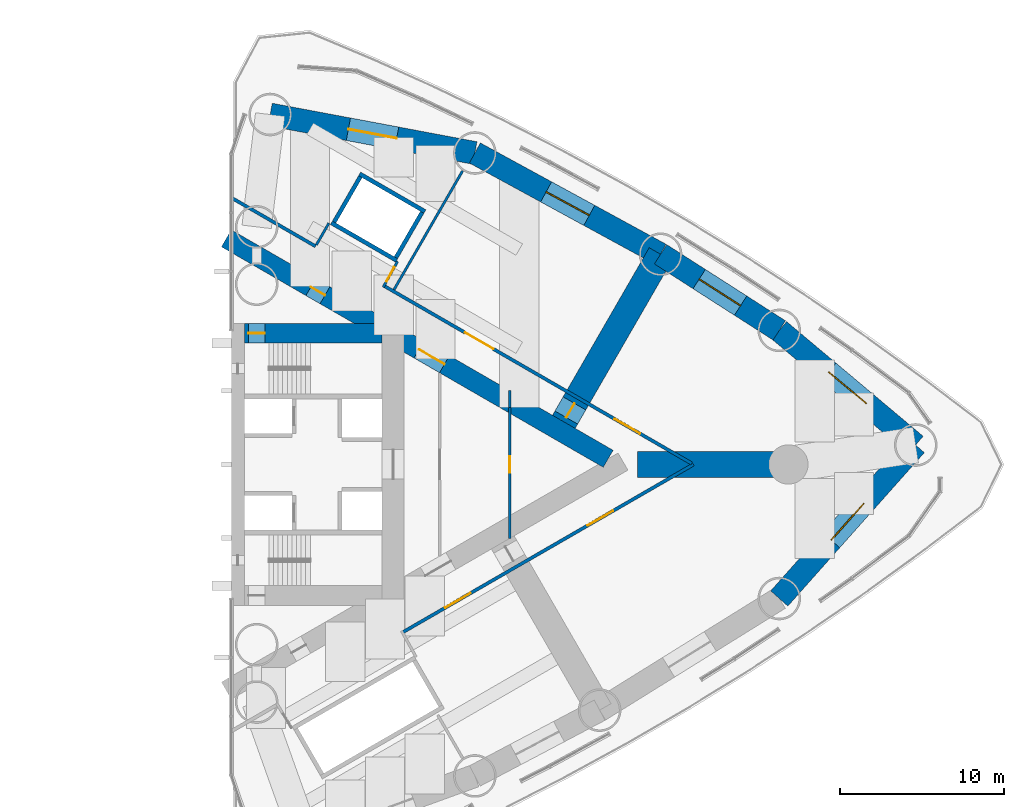
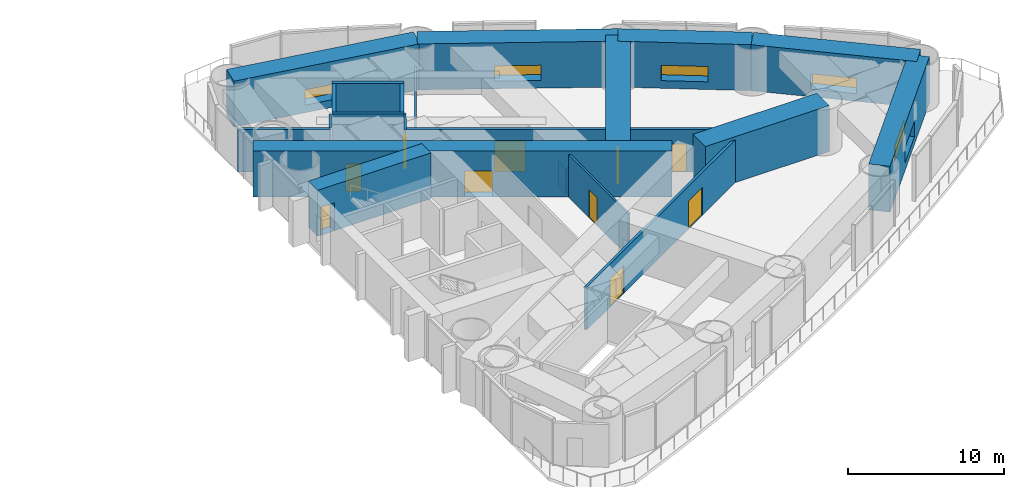
# One storey, part 16 of 19: 21 walls, 10 doors, 5 windows, 15 openings.
"""IFC4 building model written with IfcOpenShell, lengths in metres."""

import ifcopenshell
import ifcopenshell.guid

model = None  # the IFC model being written
_history = None  # IfcOwnerHistory: only IFC2X3 demands one
_inside = {}  # id of a spatial element -> (the spatial element, [elements in it])
_under = {}  # id of a project, library or spatial element -> (it, [spatial elements below it])
_declared = {}  # id of a project -> (the project, [libraries it declares])
_typed = {}  # id of a type object -> (the type object, [elements of that type])
_made_of = {}  # id of a material, layer set ... -> (it, [elements and type objects made of it])


def new_model(schema):
    """Start an empty IFC model of exactly this schema.

    Asked for "IFC4X3", IfcOpenShell would pick the latest addendum, in which some entities
    have other attributes; the version numbers below select the first issue.
    IFC2X3 requires an IfcOwnerHistory on every rooted entity: one is made here for all.
    """
    global model, _history
    if schema == "IFC4X3":
        model = ifcopenshell.file(schema_version=(4, 3, 0, 0))
    else:
        model = ifcopenshell.file(schema=schema)
    _inside.clear()
    _under.clear()
    _declared.clear()
    _typed.clear()
    _made_of.clear()
    _history = None
    if model.schema == "IFC2X3":
        org = make("IfcOrganization", Name="unknown")
        user = make(
            "IfcPersonAndOrganization",
            ThePerson=make("IfcPerson", FamilyName="unknown"),
            TheOrganization=org,
        )
        app = make(
            "IfcApplication",
            ApplicationDeveloper=org,
            Version="unknown",
            ApplicationFullName="unknown",
            ApplicationIdentifier="unknown",
        )
        _history = make(
            "IfcOwnerHistory",
            OwningUser=user,
            OwningApplication=app,
            ChangeAction="ADDED",
            CreationDate=0,
        )
    return model


def make(cls, **values):
    """One entity of the class cls with the attributes given. An attribute that is None is left unset."""
    return model.create_entity(
        cls, **{name: value for name, value in values.items() if value is not None}
    )


def rooted(cls, **values):
    """An entity with a GlobalId (a new one), such as an element, a storey or a relation."""
    return make(cls, GlobalId=ifcopenshell.guid.new(), OwnerHistory=_history, **values)


def si_unit(unit_type, name, prefix=None):
    """IfcSIUnit, for example si_unit("LENGTHUNIT", "METRE", prefix="MILLI")."""
    return make("IfcSIUnit", UnitType=unit_type, Prefix=prefix, Name=name)


def assignment(units):
    """IfcUnitAssignment: the units of a project."""
    return None if units is None else make("IfcUnitAssignment", Units=units)


def point(xyz):
    """IfcCartesianPoint."""
    return None if xyz is None else make("IfcCartesianPoint", Coordinates=xyz)


def direction(xyz):
    """IfcDirection."""
    return None if xyz is None else make("IfcDirection", DirectionRatios=xyz)


def frame(location, z_axis=None, x_axis=None):
    """IfcAxis2Placement3D, a coordinate frame: its origin and axes. An axis left out is left unset."""
    return make(
        "IfcAxis2Placement3D",
        Location=point(location),
        Axis=direction(z_axis),
        RefDirection=direction(x_axis),
    )


def frame_2d(location, x_axis=None):
    """IfcAxis2Placement2D, a coordinate frame in the plane: its origin and x axis."""
    return make(
        "IfcAxis2Placement2D", Location=point(location), RefDirection=direction(x_axis)
    )


def origin():
    """The frame at (0, 0, 0) with its axes left unset."""
    return frame((0.0, 0.0, 0.0))


def place(relative_to, where):
    """IfcLocalPlacement: puts the frame where relative to a parent placement (None: the world)."""
    return make(
        "IfcLocalPlacement", PlacementRelTo=relative_to, RelativePlacement=where
    )


def context(
    kind, dimensions, precision=None, world=None, true_north=None, identifier=None
):
    """IfcGeometricRepresentationContext, for example the 3D "Model" context."""
    return make(
        "IfcGeometricRepresentationContext",
        ContextIdentifier=identifier,
        ContextType=kind,
        CoordinateSpaceDimension=dimensions,
        Precision=precision,
        WorldCoordinateSystem=world,
        TrueNorth=true_north,
    )


def subcontext(parent, identifier, kind, view, scale=None):
    """IfcGeometricRepresentationSubContext, for example "Body" below "Model"."""
    return make(
        "IfcGeometricRepresentationSubContext",
        ContextIdentifier=identifier,
        ContextType=kind,
        ParentContext=parent,
        TargetScale=scale,
        TargetView=view,
    )


def project(units=None, contexts=None):
    """IfcProject with its units and contexts."""
    return rooted(
        "IfcProject",
        Name="project",
        RepresentationContexts=contexts,
        UnitsInContext=assignment(units),
    )


def spatial(cls, under=None, at=None, **own):
    """A site, building, storey or space (cls), placed at a placement, below another one or the project."""
    s = rooted(cls, ObjectPlacement=at, **own)
    if under is not None:
        _under.setdefault(under.id(), (under, []))[1].append(s)
    return s


def profile(cls, at=None, kind="AREA", **sizes):
    """A parametric profile (cls). Its sizes go by their IFC names, for example OverallWidth=200.0."""
    return make(cls, ProfileType=kind, Position=at, **sizes)


def rectangle(**sizes):
    """IfcRectangleProfileDef."""
    return profile("IfcRectangleProfileDef", **sizes)


def extrude(swept, where, along, depth):
    """IfcExtrudedAreaSolid: the profile swept, set in the frame where, extruded along a direction by depth."""
    return make(
        "IfcExtrudedAreaSolid",
        SweptArea=swept,
        Position=where,
        ExtrudedDirection=direction(along),
        Depth=depth,
    )


def shape(context_of_items, identifier, shape_type, items):
    """IfcShapeRepresentation: the items that make up one representation, for example the "Body"."""
    return make(
        "IfcShapeRepresentation",
        ContextOfItems=context_of_items,
        RepresentationIdentifier=identifier,
        RepresentationType=shape_type,
        Items=items,
    )


def material(Name=None, Category=None):
    """IfcMaterial."""
    return make("IfcMaterial", Name=Name, Category=Category)


def layer(
    of_material, thickness, ventilated=None, Name=None, Category=None, Priority=None
):
    """IfcMaterialLayer: one layer of a wall or slab, of a material (None: an air gap)."""
    return make(
        "IfcMaterialLayer",
        Material=of_material,
        LayerThickness=thickness,
        IsVentilated=ventilated,
        Name=Name,
        Category=Category,
        Priority=Priority,
    )


def layer_set(layers, Name=None):
    """IfcMaterialLayerSet."""
    return make("IfcMaterialLayerSet", MaterialLayers=layers, LayerSetName=Name)


def made_of(thing, what):
    """Note that an element or type object is made of a material, layer set ...; save() writes the relation."""
    if what is not None:
        _made_of.setdefault(what.id(), (what, []))[1].append(thing)
    return thing


def type_object(cls, material=None, **own):
    """A type object (cls), such as IfcWallType, which elements share."""
    return made_of(rooted(cls, **own), material)


def element(
    cls,
    number,
    at=None,
    inside=None,
    cuts=None,
    type_object=None,
    material=None,
    context=None,
    identifier="Body",
    shape_type=None,
    held_by="IfcProductDefinitionShape",
    body=None,
    shapes=None,
    **own,
):
    """One element of the class cls, such as IfcWall. Its Tag is "e" and its number.

    at: its placement. inside: the storey or other place that contains it. cuts: it is an
    opening in that element (IfcRelVoidsElement). A single representation is given by context,
    identifier, shape_type and body (its items); several are given by shapes. held_by: the class
    of the entity that holds the representations. save() writes the other relations.
    """
    e = rooted(cls, Tag="e%d" % number, ObjectPlacement=at, **own)
    if body is not None:
        shapes = [shape(context, identifier, shape_type, body)]
    if shapes is not None:
        e.Representation = make(held_by, Representations=shapes)
    if inside is not None:
        _inside.setdefault(inside.id(), (inside, []))[1].append(e)
    if cuts is not None:
        rooted(
            "IfcRelVoidsElement", RelatingBuildingElement=cuts, RelatedOpeningElement=e
        )
    if type_object is not None:
        _typed.setdefault(type_object.id(), (type_object, []))[1].append(e)
    return made_of(e, material)


def fill(opening, filler):
    """IfcRelFillsElement: the door or window that sits in an opening."""
    return rooted(
        "IfcRelFillsElement",
        RelatingOpeningElement=opening,
        RelatedBuildingElement=filler,
    )


def aggregate(whole, parts):
    """IfcRelAggregates: a whole, such as a stair, and the parts it consists of."""
    return rooted("IfcRelAggregates", RelatingObject=whole, RelatedObjects=parts)


def save(model, path):
    """Write the relations noted so far, then the file.

    IfcRelAggregates (storeys below a building ...), IfcRelContainedInSpatialStructure (elements
    in a storey), IfcRelDefinesByType, IfcRelAssociatesMaterial and IfcRelDeclares: one each for
    every whole, place, type object, material and project.
    """
    for whole, parts in _under.values():
        aggregate(whole, parts)
    for where, things in _inside.values():
        rooted(
            "IfcRelContainedInSpatialStructure",
            RelatedElements=things,
            RelatingStructure=where,
        )
    for kind, things in _typed.values():
        rooted("IfcRelDefinesByType", RelatedObjects=things, RelatingType=kind)
    for what, things in _made_of.values():
        rooted("IfcRelAssociatesMaterial", RelatedObjects=things, RelatingMaterial=what)
    for by, libraries in _declared.values():
        rooted("IfcRelDeclares", RelatingContext=by, RelatedDefinitions=libraries)
    model.write(path)


model = new_model("IFC4")

# Units and contexts
model_context = context("Model", 3, precision=1e-05, world=origin(), true_north=direction((0.0, 1.0)))
body_context = subcontext(model_context, "Body", "Model", "MODEL_VIEW")
ifc_project = project(units=[si_unit("LENGTHUNIT", "METRE"), si_unit("AREAUNIT", "SQUARE_METRE"), si_unit("VOLUMEUNIT", "CUBIC_METRE"), si_unit("PLANEANGLEUNIT", "RADIAN"), si_unit("MASSUNIT", "GRAM", prefix="KILO")], contexts=[model_context])

# Site, building, storey
site_placement = place(None, origin())
site = spatial("IfcSite", under=ifc_project, at=site_placement, CompositionType="ELEMENT")
building_placement = place(site_placement, origin())
building = spatial("IfcBuilding", under=site, at=building_placement, Name="Lancet Gate Hotel", CompositionType="ELEMENT")
storey_placement = place(building_placement, frame((0.0, 0.0, 87.0)))
storey = spatial("IfcBuildingStorey", under=building, at=storey_placement, Name="L22", CompositionType="ELEMENT", Elevation=87.0)

# Wall, opening, window
ifc_material_1 = material(Name="Concrete C80/95", Category="concrete")
ifc_layer_1 = layer(ifc_material_1, 1.39990234375)
ifc_layer_set_1 = layer_set([ifc_layer_1], Name="Belt wall 1400")
wall_type_1 = type_object("IfcWallType", Name="Belt wall 1400", PredefinedType="SHEAR", material=ifc_layer_set_1)
wall_1_placement = place(storey_placement, frame((60.940673828125, -8.18115234375, 0.0), z_axis=(0.0, 0.0, 1.0), x_axis=(0.664421866815, 0.74735773422, 0.0)))
wall_1 = element("IfcWall", 1, at=wall_1_placement, inside=storey, type_object=wall_type_1, Name="T2 belt wall OS3-CA L22", PredefinedType="SHEAR", context=body_context, shape_type="SweptSolid", body=[
    extrude(rectangle(XDim=12.534423828125, YDim=1.39990234375, at=frame_2d((6.26708984375, 0.0))), origin(), (0.0, 0.0, 1.0), 3.60009765625),
])
opening_1_placement = place(wall_1_placement, frame((4.76708984375, 0.0, 0.60009765625)))
opening_1 = element("IfcOpeningElement", 2, at=opening_1_placement, cuts=wall_1, Name="Opening LV1", PredefinedType="OPENING", context=body_context, shape_type="SweptSolid", body=[
    extrude(rectangle(XDim=3.0, YDim=1.199951171875, at=frame_2d((1.5, 0.60009765625))), frame((0.0, 0.7099609375, 0.0), z_axis=(0.0, -1.0, 0.0), x_axis=(1.0, 0.0, 0.0)), (0.0, 0.0, 1.0), 1.419921875),
])
ifc_material_2 = material(Name="Aluminium weather louvre", Category="aluminium")
window_type = type_object("IfcWindowType", Name="Refuge louvre 3000x1200", PartitioningType="SINGLE_PANEL", PredefinedType="WINDOW", material=ifc_material_2)
window_1_placement = place(opening_1_placement, origin())
window_1 = element("IfcWindow", 3, at=window_1_placement, inside=storey, type_object=window_type, Name="T2 belt louvre OS3-CA L22", OverallHeight=1.199951171875, OverallWidth=3.0, PartitioningType="SINGLE_PANEL", PredefinedType="WINDOW", context=body_context, shape_type="SweptSolid", body=[
    extrude(rectangle(XDim=3.0, YDim=1.199951171875, at=frame_2d((1.5, 0.60009765625))), frame((0.0, 0.030029296875, 0.0), z_axis=(0.0, -1.0, 0.0), x_axis=(1.0, 0.0, 0.0)), (0.0, 0.0, 1.0), 0.06005859375),
])
fill(opening_1, window_1)

wall_2_placement = place(storey_placement, frame((69.268798828125, 1.1865234375, 0.0), z_axis=(0.0, 0.0, 1.0), x_axis=(-0.765749969712, 0.643138386264, 0.0)))
wall_2 = element("IfcWall", 4, at=wall_2_placement, inside=storey, type_object=wall_type_1, Name="T2 belt wall CA-ON1 L22", PredefinedType="SHEAR", context=body_context, shape_type="SweptSolid", body=[
    extrude(rectangle(XDim=10.875732421875, YDim=1.39990234375, at=frame_2d((5.43798828125, 0.0))), origin(), (0.0, 0.0, 1.0), 3.60009765625),
])
opening_2_placement = place(wall_2_placement, frame((3.93798828125, 0.0, 0.60009765625)))
opening_2 = element("IfcOpeningElement", 5, at=opening_2_placement, cuts=wall_2, Name="Opening LV1", PredefinedType="OPENING", context=body_context, shape_type="SweptSolid", body=[
    extrude(rectangle(XDim=3.0, YDim=1.199951171875, at=frame_2d((1.5, 0.60009765625))), frame((0.0, 0.7099609375, 0.0), z_axis=(0.0, -1.0, 0.0), x_axis=(1.0, 0.0, 0.0)), (0.0, 0.0, 1.0), 1.419921875),
])
window_2_placement = place(opening_2_placement, origin())
window_2 = element("IfcWindow", 6, at=window_2_placement, inside=storey, type_object=window_type, Name="T2 belt louvre CA-ON1 L22", OverallHeight=1.199951171875, OverallWidth=3.0, PartitioningType="SINGLE_PANEL", PredefinedType="WINDOW", context=body_context, shape_type="SweptSolid", body=[
    extrude(rectangle(XDim=3.0, YDim=1.199951171875, at=frame_2d((1.5, 0.60009765625))), frame((0.0, 0.030029296875, 0.0), z_axis=(0.0, -1.0, 0.0), x_axis=(1.0, 0.0, 0.0)), (0.0, 0.0, 1.0), 0.06005859375),
])
fill(opening_2, window_2)

wall_3_placement = place(storey_placement, frame((60.940673828125, 8.18115234375, 0.0), z_axis=(0.0, 0.0, 1.0), x_axis=(-0.841727408736, 0.539902740669, 0.0)))
wall_3 = element("IfcWall", 7, at=wall_3_placement, inside=storey, type_object=wall_type_1, Name="T2 belt wall ON1-ON2 L22", PredefinedType="SHEAR", context=body_context, shape_type="SweptSolid", body=[
    extrude(rectangle(XDim=8.605712890625, YDim=1.39990234375, at=frame_2d((4.302734375, 0.0))), origin(), (0.0, 0.0, 1.0), 3.60009765625),
])
opening_3_placement = place(wall_3_placement, frame((2.802978515625, 0.0, 0.60009765625)))
opening_3 = element("IfcOpeningElement", 8, at=opening_3_placement, cuts=wall_3, Name="Opening LV1", PredefinedType="OPENING", context=body_context, shape_type="SweptSolid", body=[
    extrude(rectangle(XDim=3.0, YDim=1.199951171875, at=frame_2d((1.5, 0.60009765625))), frame((0.0, 0.7099609375, 0.0), z_axis=(0.0, -1.0, 0.0), x_axis=(1.0, 0.0, 0.0)), (0.0, 0.0, 1.0), 1.419921875),
])
window_3_placement = place(opening_3_placement, origin())
window_3 = element("IfcWindow", 9, at=window_3_placement, inside=storey, type_object=window_type, Name="T2 belt louvre ON1-ON2 L22", OverallHeight=1.199951171875, OverallWidth=3.0, PartitioningType="SINGLE_PANEL", PredefinedType="WINDOW", context=body_context, shape_type="SweptSolid", body=[
    extrude(rectangle(XDim=3.0, YDim=1.199951171875, at=frame_2d((1.5, 0.60009765625))), frame((0.0, 0.030029296875, 0.0), z_axis=(0.0, -1.0, 0.0), x_axis=(1.0, 0.0, 0.0)), (0.0, 0.0, 1.0), 0.06005859375),
])
fill(opening_3, window_3)

wall_4_placement = place(storey_placement, frame((53.697021484375, 12.827392578125, 0.0), z_axis=(0.0, 0.0, 1.0), x_axis=(-0.87792015078, 0.478807068509, 0.0)))
wall_4 = element("IfcWall", 10, at=wall_4_placement, inside=storey, type_object=wall_type_1, Name="T2 belt wall ON2-ON3 L22", PredefinedType="SHEAR", context=body_context, shape_type="SweptSolid", body=[
    extrude(rectangle(XDim=12.906494140625, YDim=1.39990234375, at=frame_2d((6.453125, 0.0))), origin(), (0.0, 0.0, 1.0), 3.60009765625),
])
opening_4_placement = place(wall_4_placement, frame((4.953125, 0.0, 0.60009765625)))
opening_4 = element("IfcOpeningElement", 11, at=opening_4_placement, cuts=wall_4, Name="Opening LV1", PredefinedType="OPENING", context=body_context, shape_type="SweptSolid", body=[
    extrude(rectangle(XDim=3.0, YDim=1.199951171875, at=frame_2d((1.5, 0.60009765625))), frame((0.0, 0.7099609375, 0.0), z_axis=(0.0, -1.0, 0.0), x_axis=(1.0, 0.0, 0.0)), (0.0, 0.0, 1.0), 1.419921875),
])
window_4_placement = place(opening_4_placement, origin())
window_4 = element("IfcWindow", 12, at=window_4_placement, inside=storey, type_object=window_type, Name="T2 belt louvre ON2-ON3 L22", OverallHeight=1.199951171875, OverallWidth=3.0, PartitioningType="SINGLE_PANEL", PredefinedType="WINDOW", context=body_context, shape_type="SweptSolid", body=[
    extrude(rectangle(XDim=3.0, YDim=1.199951171875, at=frame_2d((1.5, 0.60009765625))), frame((0.0, 0.030029296875, 0.0), z_axis=(0.0, -1.0, 0.0), x_axis=(1.0, 0.0, 0.0)), (0.0, 0.0, 1.0), 0.06005859375),
])
fill(opening_4, window_4)

wall_5_placement = place(storey_placement, frame((42.3662109375, 19.007080078125, 0.0), z_axis=(0.0, 0.0, 1.0), x_axis=(-0.982797318081, 0.184687388776, 0.0)))
wall_5 = element("IfcWall", 13, at=wall_5_placement, inside=storey, type_object=wall_type_1, Name="T2 belt wall ON3-CN L22", PredefinedType="SHEAR", context=body_context, shape_type="SweptSolid", body=[
    extrude(rectangle(XDim=12.712890625, YDim=1.39990234375, at=frame_2d((6.3564453125, 0.0))), origin(), (0.0, 0.0, 1.0), 3.60009765625),
])
opening_5_placement = place(wall_5_placement, frame((4.8564453125, 0.0, 0.60009765625)))
opening_5 = element("IfcOpeningElement", 14, at=opening_5_placement, cuts=wall_5, Name="Opening LV1", PredefinedType="OPENING", context=body_context, shape_type="SweptSolid", body=[
    extrude(rectangle(XDim=3.0, YDim=1.199951171875, at=frame_2d((1.5, 0.60009765625))), frame((0.0, 0.7099609375, 0.0), z_axis=(0.0, -1.0, 0.0), x_axis=(1.0, 0.0, 0.0)), (0.0, 0.0, 1.0), 1.419921875),
])
window_5_placement = place(opening_5_placement, origin())
window_5 = element("IfcWindow", 15, at=window_5_placement, inside=storey, type_object=window_type, Name="T2 belt louvre ON3-CN L22", OverallHeight=1.199951171875, OverallWidth=3.0, PartitioningType="SINGLE_PANEL", PredefinedType="WINDOW", context=body_context, shape_type="SweptSolid", body=[
    extrude(rectangle(XDim=3.0, YDim=1.199951171875, at=frame_2d((1.5, 0.60009765625))), frame((0.0, 0.030029296875, 0.0), z_axis=(0.0, -1.0, 0.0), x_axis=(1.0, 0.0, 0.0)), (0.0, 0.0, 1.0), 0.06005859375),
])
fill(opening_5, window_5)

# Wall, openings, doors
ifc_material_3 = material(Name="Concrete C70/85", Category="concrete")
ifc_layer_2 = layer(ifc_material_3, 1.199951171875)
ifc_layer_set_2 = layer_set([ifc_layer_2], Name="Buttress wall 1200")
wall_type_2 = type_object("IfcWallType", Name="Buttress wall 1200", PredefinedType="SHEAR", material=ifc_layer_set_2)
wall_6_placement = place(storey_placement, frame((27.199951171875, 13.800048828125, 0.0), z_axis=(0.0, 0.0, 1.0), x_axis=(0.866024515034, -0.500001539357, 0.0)))
wall_6 = element("IfcWall", 16, at=wall_6_placement, inside=storey, type_object=wall_type_2, Name="T2 buttress wall N L22", PredefinedType="SHEAR", context=body_context, shape_type="SweptSolid", body=[
    extrude(rectangle(XDim=26.9072265625, YDim=1.199951171875, at=frame_2d((13.45361328125, 0.0))), origin(), (0.0, 0.0, 1.0), 3.60009765625),
])
opening_6_placement = place(wall_6_placement, frame((5.949951171875, 0.0, 0.0)))
opening_6 = element("IfcOpeningElement", 17, at=opening_6_placement, cuts=wall_6, Name="Opening T2-L22-LN", PredefinedType="OPENING", context=body_context, shape_type="SweptSolid", body=[
    extrude(rectangle(XDim=1.0, YDim=2.199951171875, at=frame_2d((0.5, 1.10009765625))), frame((0.0, 0.60986328125, 0.0), z_axis=(0.0, -1.0, 0.0), x_axis=(1.0, 0.0, 0.0)), (0.0, 0.0, 1.0), 1.219970703125),
])
opening_7_placement = place(wall_6_placement, frame((13.567626953125, 0.0, 0.0)))
opening_7 = element("IfcOpeningElement", 18, at=opening_7_placement, cuts=wall_6, Name="Opening T2-L22-LHN", PredefinedType="OPENING", context=body_context, shape_type="SweptSolid", body=[
    extrude(rectangle(XDim=1.800048828125, YDim=2.030029296875, at=frame_2d((0.89990234375, 1.01513671875))), frame((0.0, 0.60986328125, 0.0), z_axis=(0.0, -1.0, 0.0), x_axis=(1.0, 0.0, 0.0)), (0.0, 0.0, 1.0), 1.219970703125),
])
ifc_material_4 = material(Name="Timber door set", Category="wood")
door_type_1 = type_object("IfcDoorType", Name="Lobby double door 1800, 2030 high", OperationType="DOUBLE_DOOR_SINGLE_SWING", PredefinedType="DOOR", material=ifc_material_4)
door_1_placement = place(opening_7_placement, origin())
door_1 = element("IfcDoor", 19, at=door_1_placement, inside=storey, type_object=door_type_1, Name="T2-L22-LHN", OperationType="DOUBLE_DOOR_SINGLE_SWING", OverallHeight=2.030029296875, OverallWidth=1.800048828125, PredefinedType="DOOR", context=body_context, shape_type="SweptSolid", body=[
    extrude(rectangle(XDim=1.800048828125, YDim=2.030029296875, at=frame_2d((0.89990234375, 1.01513671875))), frame((0.0, 0.02490234375, 0.0), z_axis=(0.0, -1.0, 0.0), x_axis=(1.0, 0.0, 0.0)), (0.0, 0.0, 1.0), 0.050048828125),
])
fill(opening_7, door_1)
ifc_material_5 = material(Name="Timber door set", Category="wood")
door_type_2 = type_object("IfcDoorType", Name="Stair lobby door 1000", OperationType="SINGLE_SWING_LEFT", PredefinedType="DOOR", material=ifc_material_5)
door_2_placement = place(opening_6_placement, origin())
door_2 = element("IfcDoor", 20, at=door_2_placement, inside=storey, type_object=door_type_2, Name="T2-L22-LN", OperationType="SINGLE_SWING_LEFT", OverallHeight=2.199951171875, OverallWidth=1.0, PredefinedType="DOOR", context=body_context, shape_type="SweptSolid", body=[
    extrude(rectangle(XDim=1.0, YDim=2.199951171875, at=frame_2d((0.5, 1.10009765625))), frame((0.0, 0.02490234375, 0.0), z_axis=(0.0, -1.0, 0.0), x_axis=(1.0, 0.0, 0.0)), (0.0, 0.0, 1.0), 0.050048828125),
])
fill(opening_6, door_2)

# Wall, opening, door
ifc_material_6 = material(Name="Concrete C70/85", Category="concrete")
ifc_layer_3 = layer(ifc_material_6, 1.199951171875)
ifc_layer_set_3 = layer_set([ifc_layer_3], Name="Core wall 1200")
wall_type_3 = type_object("IfcWallType", Name="Core wall 1200", PredefinedType="SHEAR", material=ifc_layer_set_3)
wall_7_placement = place(storey_placement, frame((28.300048828125, 8.0, 0.0), z_axis=(0.0, 0.0, 1.0), x_axis=(1.0, 0.0, 0.0)))
wall_7 = element("IfcWall", 21, at=wall_7_placement, inside=storey, type_object=wall_type_3, Name="T2 core wall side-N L22", PredefinedType="SHEAR", context=body_context, shape_type="SweptSolid", body=[
    extrude(rectangle(XDim=8.39990234375, YDim=1.199951171875, at=frame_2d((4.199951171875, 0.0))), origin(), (0.0, 0.0, 1.0), 3.60009765625),
])
opening_8_placement = place(wall_7_placement, frame((0.25, 0.0, 0.0)))
opening_8 = element("IfcOpeningElement", 22, at=opening_8_placement, cuts=wall_7, Name="Opening T2-L22-ST2", PredefinedType="OPENING", context=body_context, shape_type="SweptSolid", body=[
    extrude(rectangle(XDim=1.0, YDim=2.199951171875, at=frame_2d((0.5, 1.10009765625))), frame((0.0, 0.60986328125, 0.0), z_axis=(0.0, -1.0, 0.0), x_axis=(1.0, 0.0, 0.0)), (0.0, 0.0, 1.0), 1.219970703125),
])
ifc_material_7 = material(Name="Timber door set", Category="wood")
door_type_3 = type_object("IfcDoorType", Name="Stair door 1000", OperationType="SINGLE_SWING_RIGHT", PredefinedType="DOOR", material=ifc_material_7)
door_3_placement = place(opening_8_placement, origin())
door_3 = element("IfcDoor", 23, at=door_3_placement, inside=storey, type_object=door_type_3, Name="T2-L22-ST2", OperationType="SINGLE_SWING_RIGHT", OverallHeight=2.199951171875, OverallWidth=1.0, PredefinedType="DOOR", context=body_context, shape_type="SweptSolid", body=[
    extrude(rectangle(XDim=1.0, YDim=2.199951171875, at=frame_2d((0.5, 1.10009765625))), frame((0.0, 0.02490234375, 0.0), z_axis=(0.0, -1.0, 0.0), x_axis=(1.0, 0.0, 0.0)), (0.0, 0.0, 1.0), 0.050048828125),
])
fill(opening_8, door_3)

# Wall, openings, doors
ifc_material_8 = material(Name="Gypsum board partition")
ifc_layer_4 = layer(ifc_material_8, 0.199951171875)
ifc_layer_set_4 = layer_set([ifc_layer_4], Name="Corridor wall 200")
wall_type_4 = type_object("IfcWallType", Name="Corridor wall 200", PredefinedType="PARTITIONING", material=ifc_layer_set_4)
wall_8_placement = place(storey_placement, frame((37.9599609375, -10.243408203125, 0.0), z_axis=(0.0, 0.0, 1.0), x_axis=(0.866026429433, 0.499998223521, 0.0)))
wall_8 = element("IfcWall", 24, at=wall_8_placement, inside=storey, type_object=wall_type_4, Name="T2 corridor wall 200 L22", PredefinedType="PARTITIONING", context=body_context, shape_type="SweptSolid", body=[
    extrude(rectangle(XDim=20.48681640625, YDim=0.199951171875, at=frame_2d((10.243408203125, 0.0))), origin(), (0.0, 0.0, 1.0), 3.35009765625),
])
opening_9_placement = place(wall_8_placement, frame((13.0341796875, 0.0, 0.0)))
opening_9 = element("IfcOpeningElement", 25, at=opening_9_placement, cuts=wall_8, Name="Opening T2-L22-RC04", PredefinedType="OPENING", context=body_context, shape_type="SweptSolid", body=[
    extrude(rectangle(XDim=1.800048828125, YDim=2.199951171875, at=frame_2d((0.89990234375, 1.10009765625))), frame((0.0, 0.10986328125, 0.0), z_axis=(0.0, -1.0, 0.0), x_axis=(1.0, 0.0, 0.0)), (0.0, 0.0, 1.0), 0.219970703125),
])
opening_10_placement = place(wall_8_placement, frame((2.991943359375, 0.0, 0.0)))
opening_10 = element("IfcOpeningElement", 26, at=opening_10_placement, cuts=wall_8, Name="Opening T2-L22-RC02", PredefinedType="OPENING", context=body_context, shape_type="SweptSolid", body=[
    extrude(rectangle(XDim=1.800048828125, YDim=2.199951171875, at=frame_2d((0.89990234375, 1.10009765625))), frame((0.0, 0.10986328125, 0.0), z_axis=(0.0, -1.0, 0.0), x_axis=(1.0, 0.0, 0.0)), (0.0, 0.0, 1.0), 0.219970703125),
])
ifc_material_9 = material(Name="Timber door set", Category="wood")
door_type_4 = type_object("IfcDoorType", Name="Double door 1800", OperationType="DOUBLE_DOOR_SINGLE_SWING", PredefinedType="DOOR", material=ifc_material_9)
door_4_placement = place(opening_9_placement, origin())
door_4 = element("IfcDoor", 27, at=door_4_placement, inside=storey, type_object=door_type_4, Name="T2-L22-RC04", OperationType="DOUBLE_DOOR_SINGLE_SWING", OverallHeight=2.199951171875, OverallWidth=1.800048828125, PredefinedType="DOOR", context=body_context, shape_type="SweptSolid", body=[
    extrude(rectangle(XDim=1.800048828125, YDim=2.199951171875, at=frame_2d((0.89990234375, 1.10009765625))), frame((0.0, 0.02490234375, 0.0), z_axis=(0.0, -1.0, 0.0), x_axis=(1.0, 0.0, 0.0)), (0.0, 0.0, 1.0), 0.050048828125),
])
fill(opening_9, door_4)
door_5_placement = place(opening_10_placement, origin())
door_5 = element("IfcDoor", 28, at=door_5_placement, inside=storey, type_object=door_type_4, Name="T2-L22-RC02", OperationType="DOUBLE_DOOR_SINGLE_SWING", OverallHeight=2.199951171875, OverallWidth=1.800048828125, PredefinedType="DOOR", context=body_context, shape_type="SweptSolid", body=[
    extrude(rectangle(XDim=1.800048828125, YDim=2.199951171875, at=frame_2d((0.89990234375, 1.10009765625))), frame((0.0, 0.02490234375, 0.0), z_axis=(0.0, -1.0, 0.0), x_axis=(1.0, 0.0, 0.0)), (0.0, 0.0, 1.0), 0.050048828125),
])
fill(opening_10, door_5)

# Wall
wall_9_placement = place(storey_placement, frame((27.5, 16.282470703125, 0.0), z_axis=(0.0, 0.0, 1.0), x_axis=(0.866038377622, -0.499977527982, 0.0)))
element("IfcWall", 29, at=wall_9_placement, inside=storey, type_object=wall_type_4, Name="T2 corridor wall 200 L22", PredefinedType="PARTITIONING", context=body_context, shape_type="SweptSolid", body=[
    extrude(rectangle(XDim=5.937744140625, YDim=0.199951171875, at=frame_2d((2.96875, 0.0))), origin(), (0.0, 0.0, 1.0), 3.35009765625),
])

# Wall, openings, doors
wall_10_placement = place(storey_placement, frame((36.833984375, 10.8935546875, 0.0), z_axis=(0.0, 0.0, 1.0), x_axis=(0.866028157229, -0.499995230863, 0.0)))
wall_10 = element("IfcWall", 30, at=wall_10_placement, inside=storey, type_object=wall_type_4, Name="T2 corridor wall 200 L22", PredefinedType="PARTITIONING", context=body_context, shape_type="SweptSolid", body=[
    extrude(rectangle(XDim=21.667236328125, YDim=0.199951171875, at=frame_2d((10.83349609375, 0.0))), origin(), (0.0, 0.0, 1.0), 3.35009765625),
])
opening_11_placement = place(wall_10_placement, frame((16.236083984375, 0.0, 0.0)))
opening_11 = element("IfcOpeningElement", 31, at=opening_11_placement, cuts=wall_10, Name="Opening T2-L22-RC06", PredefinedType="OPENING", context=body_context, shape_type="SweptSolid", body=[
    extrude(rectangle(XDim=1.800048828125, YDim=2.199951171875, at=frame_2d((0.89990234375, 1.10009765625))), frame((0.0, 0.10986328125, 0.0), z_axis=(0.0, -1.0, 0.0), x_axis=(1.0, 0.0, 0.0)), (0.0, 0.0, 1.0), 0.219970703125),
])
opening_12_placement = place(wall_10_placement, frame((5.6962890625, 0.0, 0.0)))
opening_12 = element("IfcOpeningElement", 32, at=opening_12_placement, cuts=wall_10, Name="Opening T2-L22-RC07", PredefinedType="OPENING", context=body_context, shape_type="SweptSolid", body=[
    extrude(rectangle(XDim=2.0, YDim=2.39990234375, at=frame_2d((1.0, 1.199951171875))), frame((0.0, 0.10986328125, 0.0), z_axis=(0.0, -1.0, 0.0), x_axis=(1.0, 0.0, 0.0)), (0.0, 0.0, 1.0), 0.219970703125),
])
door_6_placement = place(opening_11_placement, origin())
door_6 = element("IfcDoor", 33, at=door_6_placement, inside=storey, type_object=door_type_4, Name="T2-L22-RC06", OperationType="DOUBLE_DOOR_SINGLE_SWING", OverallHeight=2.199951171875, OverallWidth=1.800048828125, PredefinedType="DOOR", context=body_context, shape_type="SweptSolid", body=[
    extrude(rectangle(XDim=1.800048828125, YDim=2.199951171875, at=frame_2d((0.89990234375, 1.10009765625))), frame((0.0, 0.02490234375, 0.0), z_axis=(0.0, -1.0, 0.0), x_axis=(1.0, 0.0, 0.0)), (0.0, 0.0, 1.0), 0.050048828125),
])
fill(opening_11, door_6)
ifc_material_10 = material(Name="Timber door set", Category="wood")
door_type_5 = type_object("IfcDoorType", Name="Plant room double door 2000", OperationType="DOUBLE_DOOR_SINGLE_SWING", PredefinedType="DOOR", material=ifc_material_10)
door_7_placement = place(opening_12_placement, origin())
door_7 = element("IfcDoor", 34, at=door_7_placement, inside=storey, type_object=door_type_5, Name="T2-L22-RC07", OperationType="DOUBLE_DOOR_SINGLE_SWING", OverallHeight=2.39990234375, OverallWidth=2.0, PredefinedType="DOOR", context=body_context, shape_type="SweptSolid", body=[
    extrude(rectangle(XDim=2.0, YDim=2.39990234375, at=frame_2d((1.0, 1.199951171875))), frame((0.0, 0.02490234375, 0.0), z_axis=(0.0, -1.0, 0.0), x_axis=(1.0, 0.0, 0.0)), (0.0, 0.0, 1.0), 0.050048828125),
])
fill(opening_12, door_7)

# Walls
ifc_material_11 = material(Name="Gypsum board partition")
ifc_layer_5 = layer(ifc_material_11, 0.25)
ifc_layer_set_5 = layer_set([ifc_layer_5], Name="Lift shaft partition 250")
wall_type_5 = type_object("IfcWallType", Name="Lift shaft partition 250", PredefinedType="PARTITIONING", material=ifc_layer_set_5)
for number, where, z_axis, x_axis, name in (
    (35, (33.6083984375, 14.747314453125, 0.0), (0.0, 0.0, 1.0), (0.866043305498, -0.49996899204, 0.0), "T2 lift shaft wall EX L22"),
    (36, (35.33349609375, 17.73583984375, 0.0), (0.0, 0.0, 1.0), (0.866043305498, -0.49996899204, 0.0), "T2 lift shaft wall EX L22"),
):
    element("IfcWall", number, at=place(storey_placement, frame(where, z_axis=z_axis, x_axis=x_axis)), inside=storey, type_object=wall_type_5, Name=name, PredefinedType="PARTITIONING", context=body_context, shape_type="SweptSolid", body=[
        extrude(rectangle(XDim=4.600341796875, YDim=0.25, at=frame_2d((2.30029296875, 0.0))), origin(), (0.0, 0.0, 1.0), 3.35009765625),
    ])
for number, where, z_axis, x_axis, name in (
    (37, (33.779296875, 14.79296875, 0.0), (0.0, 0.0, 1.0), (0.499929347863, 0.866066190972, 0.0), "T2 lift shaft wall EX L22"),
    (38, (37.546630859375, 12.617919921875, 0.0), (0.0, 0.0, 1.0), (0.499929347863, 0.866066190972, 0.0), "T2 lift shaft wall EX L22"),
):
    element("IfcWall", number, at=place(storey_placement, frame(where, z_axis=z_axis, x_axis=x_axis)), inside=storey, type_object=wall_type_5, Name=name, PredefinedType="PARTITIONING", context=body_context, shape_type="SweptSolid", body=[
        extrude(rectangle(XDim=3.20068359375, YDim=0.25, at=frame_2d((1.600341796875, 0.0))), origin(), (0.0, 0.0, 1.0), 3.35009765625),
    ])
ifc_material_12 = material(Name="Concrete C80/95", Category="concrete")
ifc_layer_6 = layer(ifc_material_12, 1.60009765625)
ifc_layer_set_6 = layer_set([ifc_layer_6], Name="Outrigger wall 1600")
wall_type_6 = type_object("IfcWallType", Name="Outrigger wall 1600", PredefinedType="SHEAR", material=ifc_layer_set_6)
wall_11_placement = place(storey_placement, frame((52.30224609375, 0.0, 0.0), z_axis=(0.0, 0.0, 1.0), x_axis=(1.0, 0.0, 0.0)))
element("IfcWall", 39, at=wall_11_placement, inside=storey, type_object=wall_type_6, Name="T2 outrigger wall CA L22", PredefinedType="SHEAR", context=body_context, shape_type="SweptSolid", body=[
    extrude(rectangle(XDim=9.19775390625, YDim=1.60009765625, at=frame_2d((4.598876953125, 0.0))), origin(), (0.0, 0.0, 1.0), 3.60009765625),
])

# Wall, opening, door
wall_12_placement = place(storey_placement, frame((47.7939453125, 2.602783203125, 0.0), z_axis=(0.0, 0.0, 1.0), x_axis=(0.499993342329, 0.866029247559, 0.0)))
wall_12 = element("IfcWall", 40, at=wall_12_placement, inside=storey, type_object=wall_type_6, Name="T2 outrigger wall ON2 L22", PredefinedType="SHEAR", context=body_context, shape_type="SweptSolid", body=[
    extrude(rectangle(XDim=11.806396484375, YDim=1.60009765625, at=frame_2d((5.9033203125, 0.0))), origin(), (0.0, 0.0, 1.0), 3.60009765625),
])
opening_13_placement = place(wall_12_placement, frame((0.300048828125, 0.0, 0.0)))
opening_13 = element("IfcOpeningElement", 41, at=opening_13_placement, cuts=wall_12, Name="Opening T2-L22-LNO", PredefinedType="OPENING", context=body_context, shape_type="SweptSolid", body=[
    extrude(rectangle(XDim=1.0, YDim=2.199951171875, at=frame_2d((0.5, 1.10009765625))), frame((0.0, 0.81005859375, 0.0), z_axis=(0.0, -1.0, 0.0), x_axis=(1.0, 0.0, 0.0)), (0.0, 0.0, 1.0), 1.6201171875),
])
ifc_material_13 = material(Name="Timber door set", Category="wood")
door_type_6 = type_object("IfcDoorType", Name="Corridor door 1000", OperationType="SINGLE_SWING_LEFT", PredefinedType="DOOR", material=ifc_material_13)
door_8_placement = place(opening_13_placement, origin())
door_8 = element("IfcDoor", 42, at=door_8_placement, inside=storey, type_object=door_type_6, Name="T2-L22-LNO", OperationType="SINGLE_SWING_LEFT", OverallHeight=2.199951171875, OverallWidth=1.0, PredefinedType="DOOR", context=body_context, shape_type="SweptSolid", body=[
    extrude(rectangle(XDim=1.0, YDim=2.199951171875, at=frame_2d((0.5, 1.10009765625))), frame((0.0, 0.02490234375, 0.0), z_axis=(0.0, -1.0, 0.0), x_axis=(1.0, 0.0, 0.0)), (0.0, 0.0, 1.0), 0.050048828125),
])
fill(opening_13, door_8)

# Wall
ifc_material_14 = material(Name="Gypsum board partition")
ifc_layer_7 = layer(ifc_material_14, 0.14990234375)
ifc_layer_set_7 = layer_set([ifc_layer_7], Name="Party wall 150")
wall_type_7 = type_object("IfcWallType", Name="Party wall 150", PredefinedType="PARTITIONING", material=ifc_layer_set_7)
wall_13_placement = place(storey_placement, frame((37.43017578125, 10.664794921875, 0.0), z_axis=(0.0, 0.0, 1.0), x_axis=(0.499989991081, 0.866031182359, 0.0)))
element("IfcWall", 43, at=wall_13_placement, inside=storey, type_object=wall_type_7, Name="T2 party wall 150 L22", PredefinedType="PARTITIONING", context=body_context, shape_type="SweptSolid", body=[
    extrude(rectangle(XDim=8.373291015625, YDim=0.14990234375, at=frame_2d((4.1865234375, 0.0))), origin(), (0.0, 0.0, 1.0), 2.300048828125),
])

# Wall, opening, door
ifc_material_15 = material(Name="Gypsum board partition")
ifc_layer_8 = layer(ifc_material_15, 0.14990234375)
ifc_layer_set_8 = layer_set([ifc_layer_8], Name="Service room wall 150")
wall_type_8 = type_object("IfcWallType", Name="Service room wall 150", PredefinedType="PARTITIONING", material=ifc_layer_set_8)
wall_14_placement = place(storey_placement, frame((36.77099609375, 10.814453125, 0.0), z_axis=(0.0, 0.0, 1.0), x_axis=(0.485585508183, 0.874189175317, 0.0)))
wall_14 = element("IfcWall", 44, at=wall_14_placement, inside=storey, type_object=wall_type_8, Name="T2 service room wall 150 L22", PredefinedType="PARTITIONING", context=body_context, shape_type="SweptSolid", body=[
    extrude(rectangle(XDim=1.804931640625, YDim=0.14990234375, at=frame_2d((0.90234375, 0.0))), origin(), (0.0, 0.0, 1.0), 3.35009765625),
])
opening_14_placement = place(wall_14_placement, frame((0.402587890625, 0.0, 0.0)))
opening_14 = element("IfcOpeningElement", 45, at=opening_14_placement, cuts=wall_14, Name="Opening T2-L22-RC08", PredefinedType="OPENING", context=body_context, shape_type="SweptSolid", body=[
    extrude(rectangle(XDim=1.0, YDim=2.030029296875, at=frame_2d((0.5, 1.01513671875))), frame((0.0, 0.0849609375, 0.0), z_axis=(0.0, -1.0, 0.0), x_axis=(1.0, 0.0, 0.0)), (0.0, 0.0, 1.0), 0.169921875),
])
ifc_material_16 = material(Name="Timber door set", Category="wood")
door_type_7 = type_object("IfcDoorType", Name="Service door 1000, 2030 high", OperationType="SINGLE_SWING_LEFT", PredefinedType="DOOR", material=ifc_material_16)
door_9_placement = place(opening_14_placement, origin())
door_9 = element("IfcDoor", 46, at=door_9_placement, inside=storey, type_object=door_type_7, Name="T2-L22-RC08", OperationType="SINGLE_SWING_LEFT", OverallHeight=2.030029296875, OverallWidth=1.0, PredefinedType="DOOR", context=body_context, shape_type="SweptSolid", body=[
    extrude(rectangle(XDim=1.0, YDim=2.030029296875, at=frame_2d((0.5, 1.01513671875))), frame((0.0, 0.02490234375, 0.0), z_axis=(0.0, -1.0, 0.0), x_axis=(1.0, 0.0, 0.0)), (0.0, 0.0, 1.0), 0.050048828125),
])
fill(opening_14, door_9)

# Wall
wall_15_placement = place(storey_placement, frame((32.6923828125, 13.400390625, 0.0), z_axis=(0.0, 0.0, 1.0), x_axis=(0.499985008713, 0.866034058835, 0.0)))
element("IfcWall", 47, at=wall_15_placement, inside=storey, type_object=wall_type_8, Name="T2 service room wall 150 L22", PredefinedType="PARTITIONING", context=body_context, shape_type="SweptSolid", body=[
    extrude(rectangle(XDim=1.529296875, YDim=0.14990234375, at=frame_2d((0.7646484375, 0.0))), origin(), (0.0, 0.0, 1.0), 3.35009765625),
])

# Wall, opening, door
wall_16_placement = place(storey_placement, frame((44.5, -4.504638671875, 0.0), z_axis=(0.0, 0.0, 1.0), x_axis=(0.0, 1.0, 0.0)))
wall_16 = element("IfcWall", 48, at=wall_16_placement, inside=storey, type_object=wall_type_8, Name="T2 service room wall 150 L22", PredefinedType="PARTITIONING", context=body_context, shape_type="SweptSolid", body=[
    extrude(rectangle(XDim=7.986083984375, YDim=0.14990234375, at=frame_2d((3.9931640625, 0.0))), origin(), (0.0, 0.0, 1.0), 3.35009765625),
])
opening_15_placement = place(wall_16_placement, frame((4.004638671875, 0.0, 0.0)))
opening_15 = element("IfcOpeningElement", 49, at=opening_15_placement, cuts=wall_16, Name="Opening T2-L22-SV", PredefinedType="OPENING", context=body_context, shape_type="SweptSolid", body=[
    extrude(rectangle(XDim=1.0, YDim=2.199951171875, at=frame_2d((0.5, 1.10009765625))), frame((0.0, 0.0849609375, 0.0), z_axis=(0.0, -1.0, 0.0), x_axis=(1.0, 0.0, 0.0)), (0.0, 0.0, 1.0), 0.169921875),
])
ifc_material_17 = material(Name="Timber door set", Category="wood")
door_type_8 = type_object("IfcDoorType", Name="Service door 1000", OperationType="SINGLE_SWING_LEFT", PredefinedType="DOOR", material=ifc_material_17)
door_10_placement = place(opening_15_placement, origin())
door_10 = element("IfcDoor", 50, at=door_10_placement, inside=storey, type_object=door_type_8, Name="T2-L22-SV", OperationType="SINGLE_SWING_LEFT", OverallHeight=2.199951171875, OverallWidth=1.0, PredefinedType="DOOR", context=body_context, shape_type="SweptSolid", body=[
    extrude(rectangle(XDim=1.0, YDim=2.199951171875, at=frame_2d((0.5, 1.10009765625))), frame((0.0, 0.02490234375, 0.0), z_axis=(0.0, -1.0, 0.0), x_axis=(1.0, 0.0, 0.0)), (0.0, 0.0, 1.0), 0.050048828125),
])
fill(opening_15, door_10)

# Wall
wall_17_placement = place(storey_placement, frame((44.5, 3.4814453125, 0.0), z_axis=(0.0, 0.0, 1.0), x_axis=(0.0, 1.0, 0.0)))
element("IfcWall", 51, at=wall_17_placement, inside=storey, type_object=wall_type_8, Name="T2 service room wall 150 L22", PredefinedType="PARTITIONING", context=body_context, shape_type="SweptSolid", body=[
    extrude(rectangle(XDim=1.023193359375, YDim=0.14990234375, at=frame_2d((0.51171875, 0.0))), origin(), (0.0, 0.0, 1.0), 2.050048828125),
])

save(model, "model.ifc")
